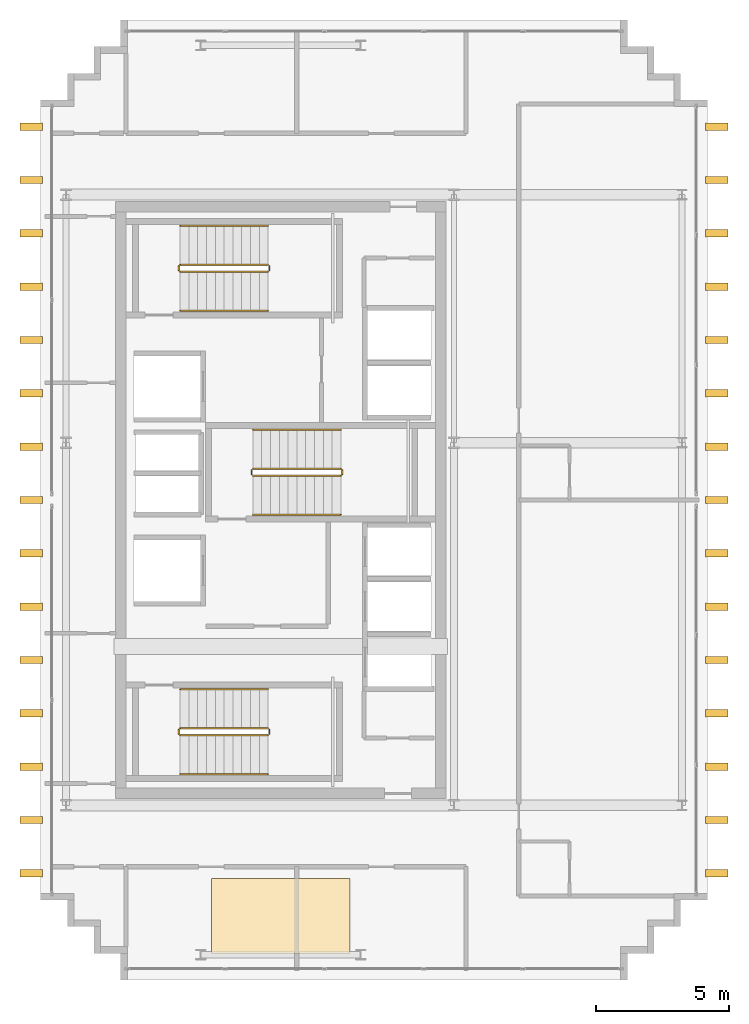
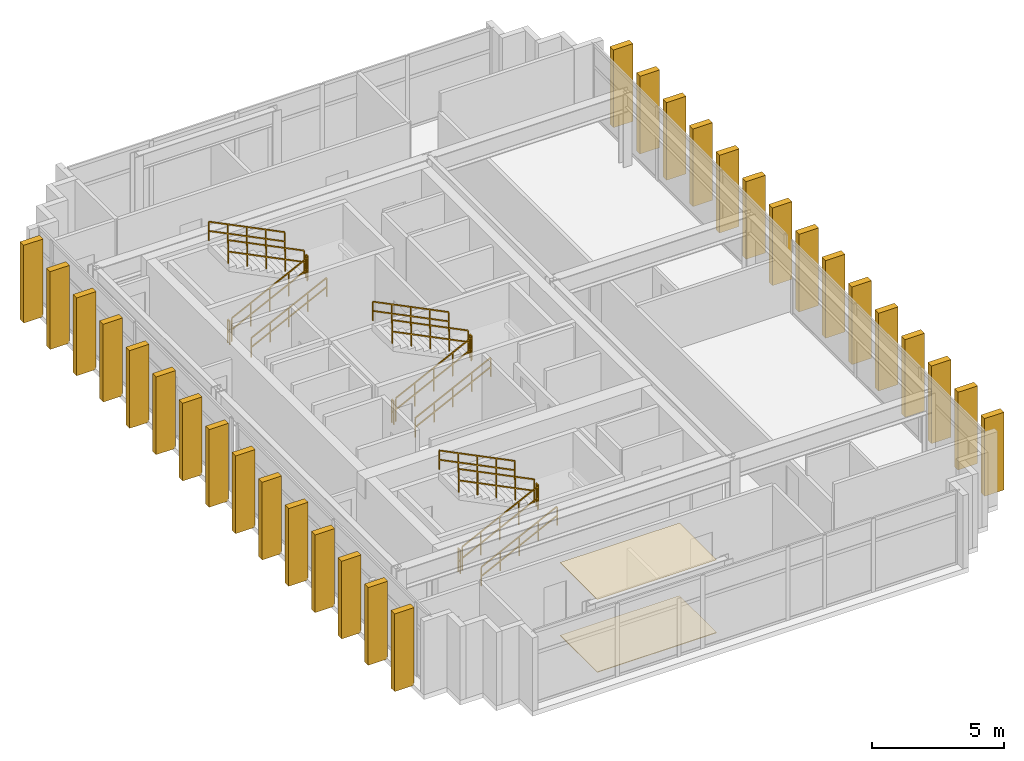
# One storey, part 15 of 15: 30 shading devices, 18 railings, 2 coverings.
"""IFC4 building model written with IfcOpenShell, lengths in metres."""

from ifc_helpers import new_model, si_unit, direction, frame, origin, origin_2d, place, context, subcontext, project, spatial, polyline, rectangle, outline, extrude, source, transform, mapped, material, layer, layer_set, type_object, element, save


model = new_model("IFC4")

# Units and contexts
model_context = context("Model", 3, precision=1e-05, world=origin(), true_north=direction((0.0, 1.0)))
body_context = subcontext(model_context, "Body", "Model", "MODEL_VIEW")
ifc_project = project(units=[si_unit("LENGTHUNIT", "METRE"), si_unit("AREAUNIT", "SQUARE_METRE"), si_unit("VOLUMEUNIT", "CUBIC_METRE"), si_unit("PLANEANGLEUNIT", "RADIAN"), si_unit("MASSUNIT", "GRAM", prefix="KILO")], contexts=[model_context])

# Site, building, storey
site_placement = place(None, origin())
site = spatial("IfcSite", under=ifc_project, at=site_placement, CompositionType="ELEMENT")
building_placement = place(site_placement, origin())
building = spatial("IfcBuilding", under=site, at=building_placement, Name="Ocotamira Hotel", CompositionType="ELEMENT")
storey_placement = place(building_placement, frame((0.0, 0.0, 294.0)))
storey = spatial("IfcBuildingStorey", under=building, at=storey_placement, Name="L75", CompositionType="ELEMENT", Elevation=294.0)

# Coverings
ifc_material_1 = material(Name="Perforated acoustic gypsum ceiling board", Category="gypsum")
ifc_layer_1 = layer(ifc_material_1, 0.02490234375)
ifc_layer_set_1 = layer_set([ifc_layer_1], Name="Perforated acoustic gypsum ceiling board")
covering_type_1 = type_object("IfcCoveringType", Name="COV-CEIL-25", PredefinedType="CEILING", material=ifc_layer_set_1)
covering_1_placement = place(storey_placement, frame((0.0, 0.0, 3.35498046875)))
element("IfcCovering", 1, at=covering_1_placement, inside=storey, type_object=covering_type_1, Name="L75 Acoustic Ceiling", PredefinedType="CEILING", context=body_context, shape_type="SweptSolid", body=[
    extrude(outline(polyline([(14.39990234375, 9.0), (19.60009765625, 9.0), (19.60009765625, 11.800048828125), (14.39990234375, 11.800048828125), (14.39990234375, 9.0)])), origin(), (0.0, 0.0, 1.0), 0.02490234375),
])
ifc_material_2 = material(Name="Honed desert travertine stone flooring", Category="masonry")
ifc_layer_2 = layer(ifc_material_2, 0.030029296875)
ifc_layer_set_2 = layer_set([ifc_layer_2], Name="Honed desert travertine stone flooring")
covering_type_2 = type_object("IfcCoveringType", Name="COV-FLOR-30", PredefinedType="FLOORING", material=ifc_layer_set_2)
covering_2_placement = place(storey_placement, origin())
element("IfcCovering", 2, at=covering_2_placement, inside=storey, type_object=covering_type_2, Name="L75 Honed Stone Floor Finish", PredefinedType="FLOORING", context=body_context, shape_type="SweptSolid", body=[
    extrude(outline(polyline([(14.39990234375, 9.0), (19.60009765625, 9.0), (19.60009765625, 11.800048828125), (14.39990234375, 11.800048828125), (14.39990234375, 9.0)])), origin(), (0.0, 0.0, 1.0), 0.030029296875),
])

# Railings
ifc_material_3 = material(Name="Brushed stainless steel handrail", Category="steel")
railing_type_1 = type_object("IfcRailingType", Name="RL-HAND-900", PredefinedType="HANDRAIL", material=ifc_material_3)
railing_1_placement = place(storey_placement, frame((13.22998046875, 15.719970703125, 0.327392578125)))
element("IfcRailing", 3, at=railing_1_placement, inside=storey, type_object=railing_type_1, Name="L75 ST-1 stair handrail 1", PredefinedType="HANDRAIL", context=body_context, shape_type="SweptSolid", body=[
    extrude(rectangle(XDim=0.048095703125, YDim=0.048095703125, at=origin_2d()), frame((0.0, 0.0, 0.8759765625), z_axis=(0.895920123917, 0.0, 0.444215186098), x_axis=(0.0, 1.0, 0.0)), (0.0, 0.0, 1.0), 3.683349609375),
    extrude(rectangle(XDim=0.048095703125, YDim=0.048095703125, at=origin_2d()), frame((0.0, 0.0, 0.449951171875), z_axis=(0.895920123917, 0.0, 0.444215186098), x_axis=(0.0, 1.0, 0.0)), (0.0, 0.0, 1.0), 3.683349609375),
    extrude(rectangle(XDim=0.0419921875, YDim=0.0419921875, at=origin_2d()), origin(), (0.0, 0.0, 1.0), 0.851806640625),
    extrude(rectangle(XDim=0.0419921875, YDim=0.0419921875, at=origin_2d()), frame((0.824951171875, 0.0, 0.4091796875)), (0.0, 0.0, 1.0), 0.851806640625),
    extrude(rectangle(XDim=0.0419921875, YDim=0.0419921875, at=origin_2d()), frame((1.64990234375, 0.0, 0.818115234375)), (0.0, 0.0, 1.0), 0.851806640625),
    extrude(rectangle(XDim=0.0419921875, YDim=0.0419921875, at=origin_2d()), frame((2.47509765625, 0.0, 1.22705078125)), (0.0, 0.0, 1.0), 0.851806640625),
    extrude(rectangle(XDim=0.0419921875, YDim=0.0419921875, at=origin_2d()), frame((3.300048828125, 0.0, 1.63623046875)), (0.0, 0.0, 1.0), 0.851806640625),
])
railing_2_placement = place(storey_placement, frame((16.530029296875, 18.89990234375, 2.127197265625)))
element("IfcRailing", 4, at=railing_2_placement, inside=storey, type_object=railing_type_1, Name="L75 ST-1 stair handrail 2", PredefinedType="HANDRAIL", context=body_context, shape_type="SweptSolid", body=[
    extrude(rectangle(XDim=0.048095703125, YDim=0.048095703125, at=origin_2d()), frame((0.0, 0.0, 0.8759765625), z_axis=(-0.895893744519, 0.0, 0.4442683857), x_axis=(0.0, -1.0, 0.0)), (0.0, 0.0, 1.0), 3.68359375),
    extrude(rectangle(XDim=0.048095703125, YDim=0.048095703125, at=origin_2d()), frame((0.0, 0.0, 0.449951171875), z_axis=(-0.895893744519, 0.0, 0.4442683857), x_axis=(0.0, -1.0, 0.0)), (0.0, 0.0, 1.0), 3.68359375),
    extrude(rectangle(XDim=0.0419921875, YDim=0.0419921875, at=origin_2d()), origin(), (0.0, 0.0, 1.0), 0.851806640625),
    extrude(rectangle(XDim=0.0419921875, YDim=0.0419921875, at=origin_2d()), frame((-0.824951171875, 0.0, 0.4091796875)), (0.0, 0.0, 1.0), 0.851806640625),
    extrude(rectangle(XDim=0.0419921875, YDim=0.0419921875, at=origin_2d()), frame((-1.64990234375, 0.0, 0.818359375)), (0.0, 0.0, 1.0), 0.851806640625),
    extrude(rectangle(XDim=0.0419921875, YDim=0.0419921875, at=origin_2d()), frame((-2.47509765625, 0.0, 1.227294921875)), (0.0, 0.0, 1.0), 0.851806640625),
    extrude(rectangle(XDim=0.0419921875, YDim=0.0419921875, at=origin_2d()), frame((-3.300048828125, 0.0, 1.636474609375)), (0.0, 0.0, 1.0), 0.851806640625),
])
railing_3_placement = place(storey_placement, frame((13.22998046875, 33.10009765625, 0.327392578125)))
element("IfcRailing", 5, at=railing_3_placement, inside=storey, type_object=railing_type_1, Name="L75 ST-2 stair handrail 1", PredefinedType="HANDRAIL", context=body_context, shape_type="SweptSolid", body=[
    extrude(rectangle(XDim=0.048095703125, YDim=0.048095703125, at=origin_2d()), frame((0.0, 0.0, 0.8759765625), z_axis=(0.895920123917, 0.0, 0.444215186098), x_axis=(0.0, 1.0, 0.0)), (0.0, 0.0, 1.0), 3.683349609375),
    extrude(rectangle(XDim=0.048095703125, YDim=0.048095703125, at=origin_2d()), frame((0.0, 0.0, 0.449951171875), z_axis=(0.895920123917, 0.0, 0.444215186098), x_axis=(0.0, 1.0, 0.0)), (0.0, 0.0, 1.0), 3.683349609375),
    extrude(rectangle(XDim=0.0419921875, YDim=0.0419921875, at=origin_2d()), origin(), (0.0, 0.0, 1.0), 0.851806640625),
    extrude(rectangle(XDim=0.0419921875, YDim=0.0419921875, at=origin_2d()), frame((0.824951171875, 0.0, 0.4091796875)), (0.0, 0.0, 1.0), 0.851806640625),
    extrude(rectangle(XDim=0.0419921875, YDim=0.0419921875, at=origin_2d()), frame((1.64990234375, 0.0, 0.818115234375)), (0.0, 0.0, 1.0), 0.851806640625),
    extrude(rectangle(XDim=0.0419921875, YDim=0.0419921875, at=origin_2d()), frame((2.47509765625, 0.0, 1.22705078125)), (0.0, 0.0, 1.0), 0.851806640625),
    extrude(rectangle(XDim=0.0419921875, YDim=0.0419921875, at=origin_2d()), frame((3.300048828125, 0.0, 1.63623046875)), (0.0, 0.0, 1.0), 0.851806640625),
])
railing_4_placement = place(storey_placement, frame((16.530029296875, 36.280029296875, 2.127197265625)))
element("IfcRailing", 6, at=railing_4_placement, inside=storey, type_object=railing_type_1, Name="L75 ST-2 stair handrail 2", PredefinedType="HANDRAIL", context=body_context, shape_type="SweptSolid", body=[
    extrude(rectangle(XDim=0.048095703125, YDim=0.048095703125, at=origin_2d()), frame((0.0, 0.0, 0.8759765625), z_axis=(-0.895893744519, 0.0, 0.4442683857), x_axis=(0.0, -1.0, 0.0)), (0.0, 0.0, 1.0), 3.68359375),
    extrude(rectangle(XDim=0.048095703125, YDim=0.048095703125, at=origin_2d()), frame((0.0, 0.0, 0.449951171875), z_axis=(-0.895893744519, 0.0, 0.4442683857), x_axis=(0.0, -1.0, 0.0)), (0.0, 0.0, 1.0), 3.68359375),
    extrude(rectangle(XDim=0.0419921875, YDim=0.0419921875, at=origin_2d()), origin(), (0.0, 0.0, 1.0), 0.851806640625),
    extrude(rectangle(XDim=0.0419921875, YDim=0.0419921875, at=origin_2d()), frame((-0.824951171875, 0.0, 0.4091796875)), (0.0, 0.0, 1.0), 0.851806640625),
    extrude(rectangle(XDim=0.0419921875, YDim=0.0419921875, at=origin_2d()), frame((-1.64990234375, 0.0, 0.818359375)), (0.0, 0.0, 1.0), 0.851806640625),
    extrude(rectangle(XDim=0.0419921875, YDim=0.0419921875, at=origin_2d()), frame((-2.47509765625, 0.0, 1.227294921875)), (0.0, 0.0, 1.0), 0.851806640625),
    extrude(rectangle(XDim=0.0419921875, YDim=0.0419921875, at=origin_2d()), frame((-3.300048828125, 0.0, 1.636474609375)), (0.0, 0.0, 1.0), 0.851806640625),
])
railing_5_placement = place(storey_placement, frame((15.9599609375, 25.449951171875, 0.327392578125)))
element("IfcRailing", 7, at=railing_5_placement, inside=storey, type_object=railing_type_1, Name="L75 ST-3 stair handrail 1", PredefinedType="HANDRAIL", context=body_context, shape_type="SweptSolid", body=[
    extrude(rectangle(XDim=0.048095703125, YDim=0.048095703125, at=origin_2d()), frame((0.0, 0.0, 0.8759765625), z_axis=(0.895920123917, 0.0, 0.444215186098), x_axis=(0.0, 1.0, 0.0)), (0.0, 0.0, 1.0), 3.683349609375),
    extrude(rectangle(XDim=0.048095703125, YDim=0.048095703125, at=origin_2d()), frame((0.0, 0.0, 0.449951171875), z_axis=(0.895920123917, 0.0, 0.444215186098), x_axis=(0.0, 1.0, 0.0)), (0.0, 0.0, 1.0), 3.683349609375),
    extrude(rectangle(XDim=0.0419921875, YDim=0.0419921875, at=origin_2d()), origin(), (0.0, 0.0, 1.0), 0.851806640625),
    extrude(rectangle(XDim=0.0419921875, YDim=0.0419921875, at=origin_2d()), frame((0.824951171875, 0.0, 0.4091796875)), (0.0, 0.0, 1.0), 0.851806640625),
    extrude(rectangle(XDim=0.0419921875, YDim=0.0419921875, at=origin_2d()), frame((1.64990234375, 0.0, 0.818115234375)), (0.0, 0.0, 1.0), 0.851806640625),
    extrude(rectangle(XDim=0.0419921875, YDim=0.0419921875, at=origin_2d()), frame((2.47509765625, 0.0, 1.22705078125)), (0.0, 0.0, 1.0), 0.851806640625),
    extrude(rectangle(XDim=0.0419921875, YDim=0.0419921875, at=origin_2d()), frame((3.300048828125, 0.0, 1.63623046875)), (0.0, 0.0, 1.0), 0.851806640625),
])
railing_6_placement = place(storey_placement, frame((19.260009765625, 28.6298828125, 2.127197265625)))
element("IfcRailing", 8, at=railing_6_placement, inside=storey, type_object=railing_type_1, Name="L75 ST-3 stair handrail 2", PredefinedType="HANDRAIL", context=body_context, shape_type="SweptSolid", body=[
    extrude(rectangle(XDim=0.048095703125, YDim=0.048095703125, at=origin_2d()), frame((0.0, 0.0, 0.8759765625), z_axis=(-0.895893744519, 0.0, 0.4442683857), x_axis=(0.0, -1.0, 0.0)), (0.0, 0.0, 1.0), 3.68359375),
    extrude(rectangle(XDim=0.048095703125, YDim=0.048095703125, at=origin_2d()), frame((0.0, 0.0, 0.449951171875), z_axis=(-0.895893744519, 0.0, 0.4442683857), x_axis=(0.0, -1.0, 0.0)), (0.0, 0.0, 1.0), 3.68359375),
    extrude(rectangle(XDim=0.0419921875, YDim=0.0419921875, at=origin_2d()), origin(), (0.0, 0.0, 1.0), 0.851806640625),
    extrude(rectangle(XDim=0.0419921875, YDim=0.0419921875, at=origin_2d()), frame((-0.824951171875, 0.0, 0.4091796875)), (0.0, 0.0, 1.0), 0.851806640625),
    extrude(rectangle(XDim=0.0419921875, YDim=0.0419921875, at=origin_2d()), frame((-1.64990234375, 0.0, 0.818359375)), (0.0, 0.0, 1.0), 0.851806640625),
    extrude(rectangle(XDim=0.0419921875, YDim=0.0419921875, at=origin_2d()), frame((-2.47509765625, 0.0, 1.227294921875)), (0.0, 0.0, 1.0), 0.851806640625),
    extrude(rectangle(XDim=0.0419921875, YDim=0.0419921875, at=origin_2d()), frame((-3.300048828125, 0.0, 1.636474609375)), (0.0, 0.0, 1.0), 0.851806640625),
])
ifc_material_4 = material(Name="Painted steel stair guardrail", Category="steel")
railing_type_2 = type_object("IfcRailingType", Name="RL-STAIR-1100", PredefinedType="GUARDRAIL", material=ifc_material_4)
railing_7_placement = place(storey_placement, frame((13.22998046875, 17.179931640625, 0.16357421875)))
element("IfcRailing", 9, at=railing_7_placement, inside=storey, type_object=railing_type_2, Name="L75 ST-1 stair guard 1", PredefinedType="GUARDRAIL", context=body_context, shape_type="SweptSolid", body=[
    extrude(rectangle(XDim=0.048095703125, YDim=0.048095703125, at=origin_2d()), frame((0.0, 0.0, 1.076171875), z_axis=(0.895893744519, 0.0, 0.4442683857), x_axis=(0.0, 1.0, 0.0)), (0.0, 0.0, 1.0), 3.68359375),
    extrude(rectangle(XDim=0.048095703125, YDim=0.048095703125, at=origin_2d()), frame((0.0, 0.0, 0.550048828125), z_axis=(0.895893744519, 0.0, 0.4442683857), x_axis=(0.0, 1.0, 0.0)), (0.0, 0.0, 1.0), 3.68359375),
    extrude(rectangle(XDim=0.0419921875, YDim=0.0419921875, at=origin_2d()), origin(), (0.0, 0.0, 1.0), 1.052001953125),
    extrude(rectangle(XDim=0.0419921875, YDim=0.0419921875, at=origin_2d()), frame((0.824951171875, 0.0, 0.4091796875)), (0.0, 0.0, 1.0), 1.052001953125),
    extrude(rectangle(XDim=0.0419921875, YDim=0.0419921875, at=origin_2d()), frame((1.64990234375, 0.0, 0.818359375)), (0.0, 0.0, 1.0), 1.052001953125),
    extrude(rectangle(XDim=0.0419921875, YDim=0.0419921875, at=origin_2d()), frame((2.47509765625, 0.0, 1.227294921875)), (0.0, 0.0, 1.0), 1.052001953125),
    extrude(rectangle(XDim=0.0419921875, YDim=0.0419921875, at=origin_2d()), frame((3.300048828125, 0.0, 1.636474609375)), (0.0, 0.0, 1.0), 1.052001953125),
])
railing_8_placement = place(storey_placement, frame((16.580078125, 17.22998046875, 1.800048828125)))
element("IfcRailing", 10, at=railing_8_placement, inside=storey, type_object=railing_type_2, Name="L75 ST-1 stair guard 2", PredefinedType="GUARDRAIL", context=body_context, shape_type="SweptSolid", body=[
    extrude(rectangle(XDim=0.048095703125, YDim=0.048095703125, at=origin_2d()), frame((0.0, 0.0, 1.076171875), z_axis=(0.0, 1.0, 0.0), x_axis=(-1.0, 0.0, 0.0)), (0.0, 0.0, 1.0), 0.159912109375),
    extrude(rectangle(XDim=0.048095703125, YDim=0.048095703125, at=origin_2d()), frame((0.0, 0.0, 0.550048828125), z_axis=(0.0, 1.0, 0.0), x_axis=(-1.0, 0.0, 0.0)), (0.0, 0.0, 1.0), 0.159912109375),
    extrude(rectangle(XDim=0.0419921875, YDim=0.0419921875, at=origin_2d()), origin(), (0.0, 0.0, 1.0), 1.052001953125),
    extrude(rectangle(XDim=0.0419921875, YDim=0.0419921875, at=origin_2d()), frame((0.0, 0.159912109375, 0.0)), (0.0, 0.0, 1.0), 1.052001953125),
])
railing_9_placement = place(storey_placement, frame((16.530029296875, 17.43994140625, 1.963623046875)))
element("IfcRailing", 11, at=railing_9_placement, inside=storey, type_object=railing_type_2, Name="L75 ST-1 stair guard 3", PredefinedType="GUARDRAIL", context=body_context, shape_type="SweptSolid", body=[
    extrude(rectangle(XDim=0.048095703125, YDim=0.048095703125, at=origin_2d()), frame((0.0, 0.0, 1.076171875), z_axis=(-0.895893744519, 0.0, 0.4442683857), x_axis=(0.0, -1.0, 0.0)), (0.0, 0.0, 1.0), 3.68359375),
    extrude(rectangle(XDim=0.048095703125, YDim=0.048095703125, at=origin_2d()), frame((0.0, 0.0, 0.550048828125), z_axis=(-0.895893744519, 0.0, 0.4442683857), x_axis=(0.0, -1.0, 0.0)), (0.0, 0.0, 1.0), 3.68359375),
    extrude(rectangle(XDim=0.0419921875, YDim=0.0419921875, at=origin_2d()), origin(), (0.0, 0.0, 1.0), 1.052001953125),
    extrude(rectangle(XDim=0.0419921875, YDim=0.0419921875, at=origin_2d()), frame((-0.824951171875, 0.0, 0.4091796875)), (0.0, 0.0, 1.0), 1.052001953125),
    extrude(rectangle(XDim=0.0419921875, YDim=0.0419921875, at=origin_2d()), frame((-1.64990234375, 0.0, 0.818359375)), (0.0, 0.0, 1.0), 1.052001953125),
    extrude(rectangle(XDim=0.0419921875, YDim=0.0419921875, at=origin_2d()), frame((-2.47509765625, 0.0, 1.227294921875)), (0.0, 0.0, 1.0), 1.052001953125),
    extrude(rectangle(XDim=0.0419921875, YDim=0.0419921875, at=origin_2d()), frame((-3.300048828125, 0.0, 1.636474609375)), (0.0, 0.0, 1.0), 1.052001953125),
])
railing_10_placement = place(storey_placement, frame((13.179931640625, 17.22998046875, 0.0)))
element("IfcRailing", 12, at=railing_10_placement, inside=storey, type_object=railing_type_2, Name="L75 ST-1 stair guard 4", PredefinedType="GUARDRAIL", context=body_context, shape_type="SweptSolid", body=[
    extrude(rectangle(XDim=0.048095703125, YDim=0.048095703125, at=origin_2d()), frame((0.0, 0.0, 1.076171875), z_axis=(0.0, 1.0, 0.0), x_axis=(-1.0, 0.0, 0.0)), (0.0, 0.0, 1.0), 0.159912109375),
    extrude(rectangle(XDim=0.048095703125, YDim=0.048095703125, at=origin_2d()), frame((0.0, 0.0, 0.550048828125), z_axis=(0.0, 1.0, 0.0), x_axis=(-1.0, 0.0, 0.0)), (0.0, 0.0, 1.0), 0.159912109375),
    extrude(rectangle(XDim=0.0419921875, YDim=0.0419921875, at=origin_2d()), origin(), (0.0, 0.0, 1.0), 1.052001953125),
    extrude(rectangle(XDim=0.0419921875, YDim=0.0419921875, at=origin_2d()), frame((0.0, 0.159912109375, 0.0)), (0.0, 0.0, 1.0), 1.052001953125),
])
railing_11_placement = place(storey_placement, frame((13.22998046875, 34.56005859375, 0.16357421875)))
element("IfcRailing", 13, at=railing_11_placement, inside=storey, type_object=railing_type_2, Name="L75 ST-2 stair guard 1", PredefinedType="GUARDRAIL", context=body_context, shape_type="SweptSolid", body=[
    extrude(rectangle(XDim=0.048095703125, YDim=0.048095703125, at=origin_2d()), frame((0.0, 0.0, 1.076171875), z_axis=(0.895893744519, 0.0, 0.4442683857), x_axis=(0.0, 1.0, 0.0)), (0.0, 0.0, 1.0), 3.68359375),
    extrude(rectangle(XDim=0.048095703125, YDim=0.048095703125, at=origin_2d()), frame((0.0, 0.0, 0.550048828125), z_axis=(0.895893744519, 0.0, 0.4442683857), x_axis=(0.0, 1.0, 0.0)), (0.0, 0.0, 1.0), 3.68359375),
    extrude(rectangle(XDim=0.0419921875, YDim=0.0419921875, at=origin_2d()), origin(), (0.0, 0.0, 1.0), 1.052001953125),
    extrude(rectangle(XDim=0.0419921875, YDim=0.0419921875, at=origin_2d()), frame((0.824951171875, 0.0, 0.4091796875)), (0.0, 0.0, 1.0), 1.052001953125),
    extrude(rectangle(XDim=0.0419921875, YDim=0.0419921875, at=origin_2d()), frame((1.64990234375, 0.0, 0.818359375)), (0.0, 0.0, 1.0), 1.052001953125),
    extrude(rectangle(XDim=0.0419921875, YDim=0.0419921875, at=origin_2d()), frame((2.47509765625, 0.0, 1.227294921875)), (0.0, 0.0, 1.0), 1.052001953125),
    extrude(rectangle(XDim=0.0419921875, YDim=0.0419921875, at=origin_2d()), frame((3.300048828125, 0.0, 1.636474609375)), (0.0, 0.0, 1.0), 1.052001953125),
])
railing_12_placement = place(storey_placement, frame((16.580078125, 34.610107421875, 1.800048828125)))
element("IfcRailing", 14, at=railing_12_placement, inside=storey, type_object=railing_type_2, Name="L75 ST-2 stair guard 2", PredefinedType="GUARDRAIL", context=body_context, shape_type="SweptSolid", body=[
    extrude(rectangle(XDim=0.048095703125, YDim=0.048095703125, at=origin_2d()), frame((0.0, 0.0, 1.076171875), z_axis=(0.0, 1.0, 0.0), x_axis=(-1.0, 0.0, 0.0)), (0.0, 0.0, 1.0), 0.159912109375),
    extrude(rectangle(XDim=0.048095703125, YDim=0.048095703125, at=origin_2d()), frame((0.0, 0.0, 0.550048828125), z_axis=(0.0, 1.0, 0.0), x_axis=(-1.0, 0.0, 0.0)), (0.0, 0.0, 1.0), 0.159912109375),
    extrude(rectangle(XDim=0.0419921875, YDim=0.0419921875, at=origin_2d()), origin(), (0.0, 0.0, 1.0), 1.052001953125),
    extrude(rectangle(XDim=0.0419921875, YDim=0.0419921875, at=origin_2d()), frame((0.0, 0.159912109375, 0.0)), (0.0, 0.0, 1.0), 1.052001953125),
])
railing_13_placement = place(storey_placement, frame((16.530029296875, 34.820068359375, 1.963623046875)))
element("IfcRailing", 15, at=railing_13_placement, inside=storey, type_object=railing_type_2, Name="L75 ST-2 stair guard 3", PredefinedType="GUARDRAIL", context=body_context, shape_type="SweptSolid", body=[
    extrude(rectangle(XDim=0.048095703125, YDim=0.048095703125, at=origin_2d()), frame((0.0, 0.0, 1.076171875), z_axis=(-0.895893744519, 0.0, 0.4442683857), x_axis=(0.0, -1.0, 0.0)), (0.0, 0.0, 1.0), 3.68359375),
    extrude(rectangle(XDim=0.048095703125, YDim=0.048095703125, at=origin_2d()), frame((0.0, 0.0, 0.550048828125), z_axis=(-0.895893744519, 0.0, 0.4442683857), x_axis=(0.0, -1.0, 0.0)), (0.0, 0.0, 1.0), 3.68359375),
    extrude(rectangle(XDim=0.0419921875, YDim=0.0419921875, at=origin_2d()), origin(), (0.0, 0.0, 1.0), 1.052001953125),
    extrude(rectangle(XDim=0.0419921875, YDim=0.0419921875, at=origin_2d()), frame((-0.824951171875, 0.0, 0.4091796875)), (0.0, 0.0, 1.0), 1.052001953125),
    extrude(rectangle(XDim=0.0419921875, YDim=0.0419921875, at=origin_2d()), frame((-1.64990234375, 0.0, 0.818359375)), (0.0, 0.0, 1.0), 1.052001953125),
    extrude(rectangle(XDim=0.0419921875, YDim=0.0419921875, at=origin_2d()), frame((-2.47509765625, 0.0, 1.227294921875)), (0.0, 0.0, 1.0), 1.052001953125),
    extrude(rectangle(XDim=0.0419921875, YDim=0.0419921875, at=origin_2d()), frame((-3.300048828125, 0.0, 1.636474609375)), (0.0, 0.0, 1.0), 1.052001953125),
])
railing_14_placement = place(storey_placement, frame((13.179931640625, 34.610107421875, 0.0)))
element("IfcRailing", 16, at=railing_14_placement, inside=storey, type_object=railing_type_2, Name="L75 ST-2 stair guard 4", PredefinedType="GUARDRAIL", context=body_context, shape_type="SweptSolid", body=[
    extrude(rectangle(XDim=0.048095703125, YDim=0.048095703125, at=origin_2d()), frame((0.0, 0.0, 1.076171875), z_axis=(0.0, 1.0, 0.0), x_axis=(-1.0, 0.0, 0.0)), (0.0, 0.0, 1.0), 0.159912109375),
    extrude(rectangle(XDim=0.048095703125, YDim=0.048095703125, at=origin_2d()), frame((0.0, 0.0, 0.550048828125), z_axis=(0.0, 1.0, 0.0), x_axis=(-1.0, 0.0, 0.0)), (0.0, 0.0, 1.0), 0.159912109375),
    extrude(rectangle(XDim=0.0419921875, YDim=0.0419921875, at=origin_2d()), origin(), (0.0, 0.0, 1.0), 1.052001953125),
    extrude(rectangle(XDim=0.0419921875, YDim=0.0419921875, at=origin_2d()), frame((0.0, 0.159912109375, 0.0)), (0.0, 0.0, 1.0), 1.052001953125),
])
railing_15_placement = place(storey_placement, frame((15.9599609375, 26.909912109375, 0.16357421875)))
element("IfcRailing", 17, at=railing_15_placement, inside=storey, type_object=railing_type_2, Name="L75 ST-3 stair guard 1", PredefinedType="GUARDRAIL", context=body_context, shape_type="SweptSolid", body=[
    extrude(rectangle(XDim=0.048095703125, YDim=0.048095703125, at=origin_2d()), frame((0.0, 0.0, 1.076171875), z_axis=(0.895893744519, 0.0, 0.4442683857), x_axis=(0.0, 1.0, 0.0)), (0.0, 0.0, 1.0), 3.68359375),
    extrude(rectangle(XDim=0.048095703125, YDim=0.048095703125, at=origin_2d()), frame((0.0, 0.0, 0.550048828125), z_axis=(0.895893744519, 0.0, 0.4442683857), x_axis=(0.0, 1.0, 0.0)), (0.0, 0.0, 1.0), 3.68359375),
    extrude(rectangle(XDim=0.0419921875, YDim=0.0419921875, at=origin_2d()), origin(), (0.0, 0.0, 1.0), 1.052001953125),
    extrude(rectangle(XDim=0.0419921875, YDim=0.0419921875, at=origin_2d()), frame((0.824951171875, 0.0, 0.4091796875)), (0.0, 0.0, 1.0), 1.052001953125),
    extrude(rectangle(XDim=0.0419921875, YDim=0.0419921875, at=origin_2d()), frame((1.64990234375, 0.0, 0.818359375)), (0.0, 0.0, 1.0), 1.052001953125),
    extrude(rectangle(XDim=0.0419921875, YDim=0.0419921875, at=origin_2d()), frame((2.47509765625, 0.0, 1.227294921875)), (0.0, 0.0, 1.0), 1.052001953125),
    extrude(rectangle(XDim=0.0419921875, YDim=0.0419921875, at=origin_2d()), frame((3.300048828125, 0.0, 1.636474609375)), (0.0, 0.0, 1.0), 1.052001953125),
])
railing_16_placement = place(storey_placement, frame((19.31005859375, 26.9599609375, 1.800048828125)))
element("IfcRailing", 18, at=railing_16_placement, inside=storey, type_object=railing_type_2, Name="L75 ST-3 stair guard 2", PredefinedType="GUARDRAIL", context=body_context, shape_type="SweptSolid", body=[
    extrude(rectangle(XDim=0.048095703125, YDim=0.048095703125, at=origin_2d()), frame((0.0, 0.0, 1.076171875), z_axis=(0.0, 1.0, 0.0), x_axis=(-1.0, 0.0, 0.0)), (0.0, 0.0, 1.0), 0.16015625),
    extrude(rectangle(XDim=0.048095703125, YDim=0.048095703125, at=origin_2d()), frame((0.0, 0.0, 0.550048828125), z_axis=(0.0, 1.0, 0.0), x_axis=(-1.0, 0.0, 0.0)), (0.0, 0.0, 1.0), 0.16015625),
    extrude(rectangle(XDim=0.0419921875, YDim=0.0419921875, at=origin_2d()), origin(), (0.0, 0.0, 1.0), 1.052001953125),
    extrude(rectangle(XDim=0.0419921875, YDim=0.0419921875, at=origin_2d()), frame((0.0, 0.16015625, 0.0)), (0.0, 0.0, 1.0), 1.052001953125),
])
railing_17_placement = place(storey_placement, frame((19.260009765625, 27.169921875, 1.963623046875)))
element("IfcRailing", 19, at=railing_17_placement, inside=storey, type_object=railing_type_2, Name="L75 ST-3 stair guard 3", PredefinedType="GUARDRAIL", context=body_context, shape_type="SweptSolid", body=[
    extrude(rectangle(XDim=0.048095703125, YDim=0.048095703125, at=origin_2d()), frame((0.0, 0.0, 1.076171875), z_axis=(-0.895893744519, 0.0, 0.4442683857), x_axis=(0.0, -1.0, 0.0)), (0.0, 0.0, 1.0), 3.68359375),
    extrude(rectangle(XDim=0.048095703125, YDim=0.048095703125, at=origin_2d()), frame((0.0, 0.0, 0.550048828125), z_axis=(-0.895893744519, 0.0, 0.4442683857), x_axis=(0.0, -1.0, 0.0)), (0.0, 0.0, 1.0), 3.68359375),
    extrude(rectangle(XDim=0.0419921875, YDim=0.0419921875, at=origin_2d()), origin(), (0.0, 0.0, 1.0), 1.052001953125),
    extrude(rectangle(XDim=0.0419921875, YDim=0.0419921875, at=origin_2d()), frame((-0.824951171875, 0.0, 0.4091796875)), (0.0, 0.0, 1.0), 1.052001953125),
    extrude(rectangle(XDim=0.0419921875, YDim=0.0419921875, at=origin_2d()), frame((-1.64990234375, 0.0, 0.818359375)), (0.0, 0.0, 1.0), 1.052001953125),
    extrude(rectangle(XDim=0.0419921875, YDim=0.0419921875, at=origin_2d()), frame((-2.47509765625, 0.0, 1.227294921875)), (0.0, 0.0, 1.0), 1.052001953125),
    extrude(rectangle(XDim=0.0419921875, YDim=0.0419921875, at=origin_2d()), frame((-3.300048828125, 0.0, 1.636474609375)), (0.0, 0.0, 1.0), 1.052001953125),
])
railing_18_placement = place(storey_placement, frame((15.909912109375, 26.9599609375, 0.0)))
element("IfcRailing", 20, at=railing_18_placement, inside=storey, type_object=railing_type_2, Name="L75 ST-3 stair guard 4", PredefinedType="GUARDRAIL", context=body_context, shape_type="SweptSolid", body=[
    extrude(rectangle(XDim=0.048095703125, YDim=0.048095703125, at=origin_2d()), frame((0.0, 0.0, 1.076171875), z_axis=(0.0, 1.0, 0.0), x_axis=(-1.0, 0.0, 0.0)), (0.0, 0.0, 1.0), 0.16015625),
    extrude(rectangle(XDim=0.048095703125, YDim=0.048095703125, at=origin_2d()), frame((0.0, 0.0, 0.550048828125), z_axis=(0.0, 1.0, 0.0), x_axis=(-1.0, 0.0, 0.0)), (0.0, 0.0, 1.0), 0.16015625),
    extrude(rectangle(XDim=0.0419921875, YDim=0.0419921875, at=origin_2d()), origin(), (0.0, 0.0, 1.0), 1.052001953125),
    extrude(rectangle(XDim=0.0419921875, YDim=0.0419921875, at=origin_2d()), frame((0.0, 0.16015625, 0.0)), (0.0, 0.0, 1.0), 1.052001953125),
])

# Shading devices
ifc_material_5 = material(Name="Pale-metal anodised aluminium architectural fin", Category="aluminium")
shading_device_type = type_object("IfcShadingDeviceType", Name="SHD-PIER-850", PredefinedType="USERDEFINED", material=ifc_material_5)
shared_shape = source(origin(), body_context, "Body", "SweptSolid", [
    extrude(rectangle(XDim=0.85009765625, YDim=0.280029296875, at=origin_2d()), origin(), (0.0, 0.0, 1.0), 3.580078125),
])
for number, where, z_axis, x_axis, name in (
    (21, (7.64990234375, 12.0, -0.10009765625), (0.0, 0.0, 1.0), (1.0, 0.0, 0.0), "L75 West Peak Vertical Pier X7 Y12"),
    (22, (33.35009765625, 12.0, -0.10009765625), (0.0, 0.0, 1.0), (1.0, 0.0, 0.0), "L75 West Peak Vertical Pier X33 Y12"),
    (23, (7.64990234375, 14.0, -0.10009765625), (0.0, 0.0, 1.0), (1.0, 0.0, 0.0), "L75 West Peak Vertical Pier X7 Y14"),
    (24, (33.35009765625, 14.0, -0.10009765625), (0.0, 0.0, 1.0), (1.0, 0.0, 0.0), "L75 West Peak Vertical Pier X33 Y14"),
    (25, (7.64990234375, 16.0, -0.10009765625), (0.0, 0.0, 1.0), (1.0, 0.0, 0.0), "L75 West Peak Vertical Pier X7 Y16"),
    (26, (33.35009765625, 16.0, -0.10009765625), (0.0, 0.0, 1.0), (1.0, 0.0, 0.0), "L75 West Peak Vertical Pier X33 Y16"),
    (27, (7.64990234375, 18.0, -0.10009765625), (0.0, 0.0, 1.0), (1.0, 0.0, 0.0), "L75 West Peak Vertical Pier X7 Y18"),
    (28, (33.35009765625, 18.0, -0.10009765625), (0.0, 0.0, 1.0), (1.0, 0.0, 0.0), "L75 West Peak Vertical Pier X33 Y18"),
    (29, (7.64990234375, 20.0, -0.10009765625), (0.0, 0.0, 1.0), (1.0, 0.0, 0.0), "L75 West Peak Vertical Pier X7 Y20"),
    (30, (33.35009765625, 20.0, -0.10009765625), (0.0, 0.0, 1.0), (1.0, 0.0, 0.0), "L75 West Peak Vertical Pier X33 Y20"),
    (31, (7.64990234375, 22.0, -0.10009765625), (0.0, 0.0, 1.0), (1.0, 0.0, 0.0), "L75 West Peak Vertical Pier X7 Y22"),
    (32, (33.35009765625, 22.0, -0.10009765625), (0.0, 0.0, 1.0), (1.0, 0.0, 0.0), "L75 West Peak Vertical Pier X33 Y22"),
    (33, (7.64990234375, 24.0, -0.10009765625), (0.0, 0.0, 1.0), (1.0, 0.0, 0.0), "L75 West Peak Vertical Pier X7 Y24"),
    (34, (33.35009765625, 24.0, -0.10009765625), (0.0, 0.0, 1.0), (1.0, 0.0, 0.0), "L75 West Peak Vertical Pier X33 Y24"),
    (35, (7.64990234375, 26.0, -0.10009765625), (0.0, 0.0, 1.0), (1.0, 0.0, 0.0), "L75 West Peak Vertical Pier X7 Y26"),
    (36, (33.35009765625, 26.0, -0.10009765625), (0.0, 0.0, 1.0), (1.0, 0.0, 0.0), "L75 West Peak Vertical Pier X33 Y26"),
    (37, (7.64990234375, 28.0, -0.10009765625), (0.0, 0.0, 1.0), (1.0, 0.0, 0.0), "L75 West Peak Vertical Pier X7 Y28"),
    (38, (33.35009765625, 28.0, -0.10009765625), (0.0, 0.0, 1.0), (1.0, 0.0, 0.0), "L75 West Peak Vertical Pier X33 Y28"),
    (39, (7.64990234375, 30.0, -0.10009765625), (0.0, 0.0, 1.0), (1.0, 0.0, 0.0), "L75 West Peak Vertical Pier X7 Y30"),
    (40, (33.35009765625, 30.0, -0.10009765625), (0.0, 0.0, 1.0), (1.0, 0.0, 0.0), "L75 West Peak Vertical Pier X33 Y30"),
    (41, (7.64990234375, 32.0, -0.10009765625), (0.0, 0.0, 1.0), (1.0, 0.0, 0.0), "L75 West Peak Vertical Pier X7 Y32"),
    (42, (33.35009765625, 32.0, -0.10009765625), (0.0, 0.0, 1.0), (1.0, 0.0, 0.0), "L75 West Peak Vertical Pier X33 Y32"),
    (43, (7.64990234375, 34.0, -0.10009765625), (0.0, 0.0, 1.0), (1.0, 0.0, 0.0), "L75 West Peak Vertical Pier X7 Y34"),
    (44, (33.35009765625, 34.0, -0.10009765625), (0.0, 0.0, 1.0), (1.0, 0.0, 0.0), "L75 West Peak Vertical Pier X33 Y34"),
    (45, (7.64990234375, 36.0, -0.10009765625), (0.0, 0.0, 1.0), (1.0, 0.0, 0.0), "L75 West Peak Vertical Pier X7 Y36"),
    (46, (33.35009765625, 36.0, -0.10009765625), (0.0, 0.0, 1.0), (1.0, 0.0, 0.0), "L75 West Peak Vertical Pier X33 Y36"),
    (47, (7.64990234375, 38.0, -0.10009765625), (0.0, 0.0, 1.0), (1.0, 0.0, 0.0), "L75 West Peak Vertical Pier X7 Y38"),
    (48, (33.35009765625, 38.0, -0.10009765625), (0.0, 0.0, 1.0), (1.0, 0.0, 0.0), "L75 West Peak Vertical Pier X33 Y38"),
    (49, (7.64990234375, 40.0, -0.10009765625), (0.0, 0.0, 1.0), (1.0, 0.0, 0.0), "L75 West Peak Vertical Pier X7 Y40"),
    (50, (33.35009765625, 40.0, -0.10009765625), (0.0, 0.0, 1.0), (1.0, 0.0, 0.0), "L75 West Peak Vertical Pier X33 Y40"),
):
    element("IfcShadingDevice", number, at=place(storey_placement, frame(where, z_axis=z_axis, x_axis=x_axis)), inside=storey, type_object=shading_device_type, Name=name, ObjectType="FIN", PredefinedType="USERDEFINED", context=body_context, shape_type="MappedRepresentation", body=[
        mapped(shared_shape, transform((0.0, 0.0, 0.0), scale=1.0)),
    ])

save(model, "model.ifc")
